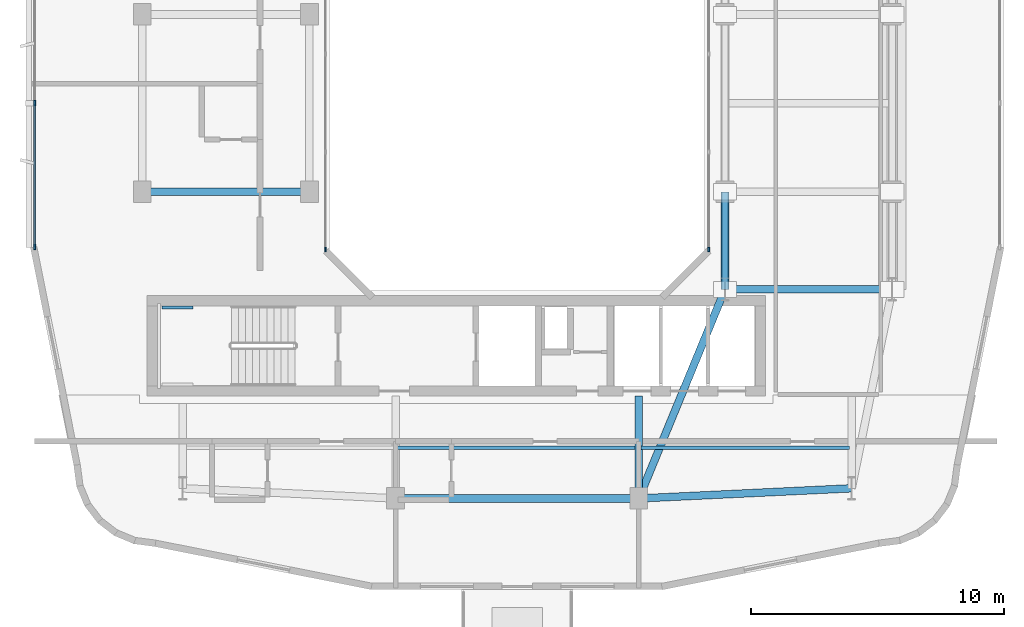
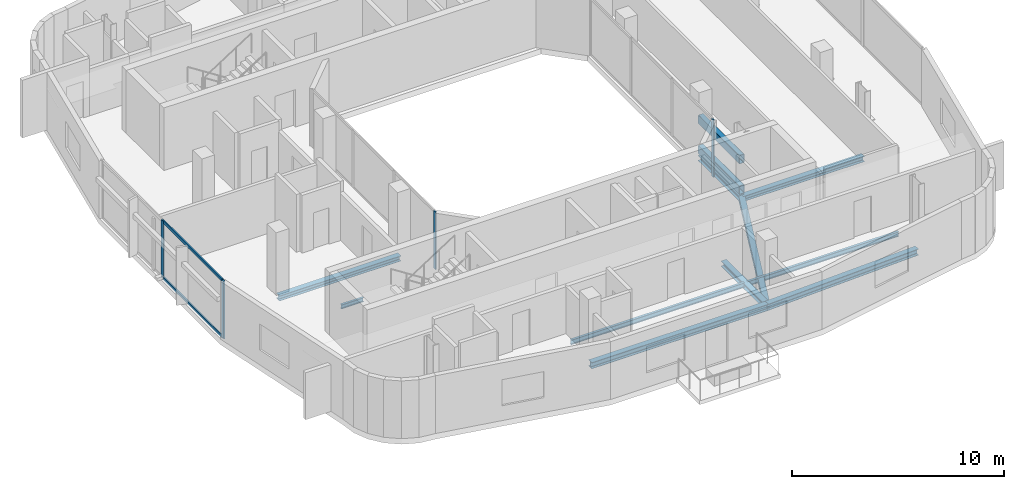
# One storey, part 2 of 13: 10 beams, 8 members, 3 elements without a shape of their own.
"""IFC4 building model written with IfcOpenShell, lengths in metres."""

from ifc_helpers import new_model, si_unit, derived_unit, direction, frame, origin, origin_2d, place, context, subcontext, project, spatial, rectangle, hollow_rectangle, i_section, extrude, material, layer, layer_set, material_profile, profile_set, type_object, element, aggregate, save


model = new_model("IFC4")

# Units and contexts
model_context = context("Model", 3, precision=1e-05, world=origin(), true_north=direction((0.0, 1.0)))
body_context = subcontext(model_context, "Body", "Model", "MODEL_VIEW")
ifc_project = project(units=[si_unit("LENGTHUNIT", "METRE"), si_unit("AREAUNIT", "SQUARE_METRE"), si_unit("VOLUMEUNIT", "CUBIC_METRE"), si_unit("PLANEANGLEUNIT", "RADIAN"), si_unit("MASSUNIT", "GRAM", prefix="KILO"), derived_unit("THERMALTRANSMITTANCEUNIT", [(si_unit("POWERUNIT", "WATT"), 1), (si_unit("LENGTHUNIT", "METRE"), -2), (si_unit("THERMODYNAMICTEMPERATUREUNIT", "KELVIN"), -1)])], contexts=[model_context])

# Site, building, storey
site_placement = place(None, origin())
site = spatial("IfcSite", under=ifc_project, at=site_placement, CompositionType="ELEMENT")
building_placement = place(site_placement, origin())
building = spatial("IfcBuilding", under=site, at=building_placement, Name="Kivonza Crest Hotel", CompositionType="ELEMENT")
storey_placement = place(building_placement, frame((0.0, 0.0, 199.10009765625)))
storey = spatial("IfcBuildingStorey", under=building, at=storey_placement, Name="L54", CompositionType="ELEMENT", Elevation=199.10009765625)

# Beams
ifc_material_1 = material(Name="Steel S355", Category="steel")
ifc_material_profile_1 = material_profile(ifc_material_1, i_section(OverallWidth=0.300048828125, OverallDepth=0.300048828125, WebThickness=0.010986328125, FlangeThickness=0.01904296875, FilletRadius=0.027099609375, at=origin_2d()), Name="HEB 300")
ifc_profile_set_1 = profile_set([ifc_material_profile_1], Name="Steel S355")
beam_type_1 = type_object("IfcBeamType", Name="BM-HEB300", PredefinedType="BEAM", material=ifc_profile_set_1)
beam_1_placement = place(storey_placement, frame((6.199951171875, 21.5, -0.47021484375), z_axis=(1.0, 0.0, 0.0), x_axis=(0.0, 1.0, 0.0)))
element("IfcBeam", 1, at=beam_1_placement, inside=storey, type_object=beam_type_1, Name="Tower T1 L54 primary girder W1-WL1", PredefinedType="BEAM", context=body_context, shape_type="SweptSolid", body=[
    extrude(i_section(OverallWidth=0.300048828125, OverallDepth=0.300048828125, WebThickness=0.010986328125, FlangeThickness=0.01904296875, FilletRadius=0.027099609375, at=origin_2d()), origin(), (0.0, 0.0, 1.0), 6.60009765625),
])
beam_2_placement = place(storey_placement, frame((25.800048828125, 9.39990234375, -0.47021484375), z_axis=(0.381022260404, 0.924565864109, 0.0), x_axis=(-0.924565864109, 0.381022260404, 0.0)))
element("IfcBeam", 2, at=beam_2_placement, inside=storey, type_object=beam_type_1, Name="Tower T1 L54 primary girder S1-TSE", PredefinedType="BEAM", context=body_context, shape_type="SweptSolid", body=[
    extrude(i_section(OverallWidth=0.300048828125, OverallDepth=0.300048828125, WebThickness=0.010986328125, FlangeThickness=0.01904296875, FilletRadius=0.027099609375, at=origin_2d()), origin(), (0.0, 0.0, 1.0), 8.923095703125),
])
beam_3_placement = place(storey_placement, frame((29.199951171875, 17.64990234375, -0.47021484375), z_axis=(1.0, 0.0, 0.0), x_axis=(0.0, 1.0, 0.0)))
element("IfcBeam", 3, at=beam_3_placement, inside=storey, type_object=beam_type_1, Name="Tower T1 L54 primary girder TSE-PSE", PredefinedType="BEAM", context=body_context, shape_type="SweptSolid", body=[
    extrude(i_section(OverallWidth=0.300048828125, OverallDepth=0.300048828125, WebThickness=0.010986328125, FlangeThickness=0.01904296875, FilletRadius=0.027099609375, at=origin_2d()), origin(), (0.0, 0.0, 1.0), 6.60009765625),
])
beam_4_placement = place(storey_placement, frame((29.199951171875, 17.64990234375, -0.47021484375), z_axis=(0.0, 1.0, 0.0), x_axis=(-1.0, 0.0, 0.0)))
element("IfcBeam", 4, at=beam_4_placement, inside=storey, type_object=beam_type_1, Name="Tower T1 L54 primary girder TSE-WR1", PredefinedType="BEAM", context=body_context, shape_type="SweptSolid", body=[
    extrude(i_section(OverallWidth=0.300048828125, OverallDepth=0.300048828125, WebThickness=0.010986328125, FlangeThickness=0.01904296875, FilletRadius=0.027099609375, at=origin_2d()), origin(), (0.0, 0.0, 1.0), 3.85009765625),
])
beam_5_placement = place(storey_placement, frame((25.800048828125, 9.39990234375, -0.47021484375), z_axis=(0.0, 1.0, 0.0), x_axis=(-1.0, 0.0, 0.0)))
element("IfcBeam", 5, at=beam_5_placement, inside=storey, type_object=beam_type_1, Name="Tower T1 L54 radial core girder RS2", PredefinedType="BEAM", context=body_context, shape_type="SweptSolid", body=[
    extrude(i_section(OverallWidth=0.300048828125, OverallDepth=0.300048828125, WebThickness=0.010986328125, FlangeThickness=0.01904296875, FilletRadius=0.027099609375, at=origin_2d()), origin(), (0.0, 0.0, 1.0), 4.050048828125),
])
ifc_material_profile_2 = material_profile(ifc_material_1, i_section(OverallWidth=0.300048828125, OverallDepth=0.360107421875, WebThickness=0.012451171875, FlangeThickness=0.0224609375, FilletRadius=0.027099609375, at=origin_2d()), Name="HEB 360")
ifc_profile_set_2 = profile_set([ifc_material_profile_2], Name="Steel S355")
beam_type_2 = type_object("IfcBeamType", Name="BM-HEB360", PredefinedType="SPANDREL", material=ifc_profile_set_2)
beam_6_placement = place(storey_placement, frame((16.199951171875, 9.39990234375, -0.5), z_axis=(1.0, 0.0, 0.0), x_axis=(0.0, 1.0, 0.0)))
element("IfcBeam", 6, at=beam_6_placement, inside=storey, type_object=beam_type_2, Name="Tower T1 L54 perimeter spandrel S1-S2", PredefinedType="SPANDREL", context=body_context, shape_type="SweptSolid", body=[
    extrude(i_section(OverallWidth=0.300048828125, OverallDepth=0.360107421875, WebThickness=0.012451171875, FlangeThickness=0.0224609375, FilletRadius=0.027099609375, at=origin_2d()), origin(), (0.0, 0.0, 1.0), 9.60009765625),
])
beam_7_placement = place(storey_placement, frame((25.800048828125, 9.39990234375, -0.5), z_axis=(0.998867283688, 0.047583080799, 0.0), x_axis=(-0.047583080799, 0.998867283688, 0.0)))
element("IfcBeam", 7, at=beam_7_placement, inside=storey, type_object=beam_type_2, Name="Tower T1 L54 perimeter spandrel S2-SE", PredefinedType="SPANDREL", context=body_context, shape_type="SweptSolid", body=[
    extrude(i_section(OverallWidth=0.300048828125, OverallDepth=0.360107421875, WebThickness=0.012451171875, FlangeThickness=0.0224609375, FilletRadius=0.027099609375, at=origin_2d()), origin(), (0.0, 0.0, 1.0), 8.409423828125),
])
ifc_material_profile_3 = material_profile(ifc_material_1, i_section(OverallWidth=0.135009765625, OverallDepth=0.27001953125, WebThickness=0.006591796875, FlangeThickness=0.01025390625, FilletRadius=0.014892578125, at=origin_2d()), Name="IPE 270")
ifc_profile_set_3 = profile_set([ifc_material_profile_3], Name="Steel S355")
beam_type_3 = type_object("IfcBeamType", Name="BM-IPE270", PredefinedType="JOIST", material=ifc_profile_set_3)
beam_8_placement = place(storey_placement, frame((16.280029296875, 11.39990234375, -0.455078125), z_axis=(1.0, 0.0, 0.0), x_axis=(0.0, 1.0, 0.0)))
element("IfcBeam", 8, at=beam_8_placement, inside=storey, type_object=beam_type_3, Name="Tower T1 L54 South-Mid floor joist", PredefinedType="JOIST", context=body_context, shape_type="SweptSolid", body=[
    extrude(i_section(OverallWidth=0.135009765625, OverallDepth=0.27001953125, WebThickness=0.006591796875, FlangeThickness=0.01025390625, FilletRadius=0.014892578125, at=origin_2d()), origin(), (0.0, 0.0, 1.0), 9.43994140625),
])
beam_9_placement = place(storey_placement, frame((25.8798828125, 11.39990234375, -0.455078125), z_axis=(1.0, 0.0, 0.0), x_axis=(0.0, 1.0, 0.0)))
element("IfcBeam", 9, at=beam_9_placement, inside=storey, type_object=beam_type_3, Name="Tower T1 L54 South-East floor joist", PredefinedType="JOIST", context=body_context, shape_type="SweptSolid", body=[
    extrude(i_section(OverallWidth=0.135009765625, OverallDepth=0.27001953125, WebThickness=0.006591796875, FlangeThickness=0.01025390625, FilletRadius=0.014892578125, at=origin_2d()), origin(), (0.0, 0.0, 1.0), 8.240234375),
])
ifc_material_profile_4 = material_profile(ifc_material_1, i_section(OverallWidth=0.1201171875, OverallDepth=0.239990234375, WebThickness=0.006103515625, FlangeThickness=0.009765625, FilletRadius=0.014892578125, at=origin_2d()), Name="IPE 240")
ifc_profile_set_4 = profile_set([ifc_material_profile_4], Name="Steel S355")
beam_type_4 = type_object("IfcBeamType", Name="BM-LLDG-240", PredefinedType="BEAM", material=ifc_profile_set_4)
beam_10_placement = place(storey_placement, frame((6.989990234375, 16.93994140625, 1.47998046875), z_axis=(1.0, 0.0, 0.0), x_axis=(0.0, 1.0, 0.0)))
element("IfcBeam", 10, at=beam_10_placement, inside=storey, type_object=beam_type_4, Name="Stair ST-T1-S L54 North landing corbel", PredefinedType="BEAM", context=body_context, shape_type="SweptSolid", body=[
    extrude(i_section(OverallWidth=0.1201171875, OverallDepth=0.239990234375, WebThickness=0.006103515625, FlangeThickness=0.009765625, FilletRadius=0.014892578125, at=origin_2d()), origin(), (0.0, 0.0, 1.0), 1.2099609375),
])

# Curtain wall, member
ifc_material_2 = material(Name="Anodised bronze aluminium and low-E double glazing", Category="aluminium")
ifc_layer_1 = layer(ifc_material_2, 0.159912109375)
ifc_layer_set_1 = layer_set([ifc_layer_1], Name="Anodised bronze aluminium and low-E double glazing")
curtain_wall_type_1 = type_object("IfcCurtainWallType", Name="CW-SYS-5", PredefinedType="NOTDEFINED", material=ifc_layer_set_1)
curtain_wall_1_placement = place(storey_placement, origin())
curtain_wall_1 = element("IfcCurtainWall", 11, at=curtain_wall_1_placement, inside=storey, type_object=curtain_wall_type_1, Name="L54 unitised curtain wall CW-WELL-T1-L54-3", PredefinedType="NOTDEFINED")
ifc_material_3 = material(Name="Anodised bronze aluminium", Category="aluminium")
ifc_material_profile_5 = material_profile(ifc_material_3, rectangle(XDim=0.06494140625, YDim=0.179931640625, at=origin_2d()), Name="CW-M 65x180")
ifc_profile_set_5 = profile_set([ifc_material_profile_5], Name="Anodised bronze aluminium")
member_type_1 = type_object("IfcMemberType", Name="CW-MUL-65x180", PredefinedType="MULLION", material=ifc_profile_set_5)
member_1_placement = place(storey_placement, frame((28.56005859375, 19.232421875, 0.0), z_axis=(0.0, 0.0, 1.0), x_axis=(-1.0, 0.0, 0.0)))
member_1 = element("IfcMember", 12, at=member_1_placement, type_object=member_type_1, Name="CW-5 mullion 1", PredefinedType="MULLION", context=body_context, shape_type="SweptSolid", body=[
    extrude(rectangle(XDim=0.06494140625, YDim=0.179931640625, at=origin_2d()), origin(), (0.0, 0.0, 1.0), 3.31982421875),
])
aggregate(curtain_wall_1, [member_1])

curtain_wall_2_placement = place(storey_placement, origin())
curtain_wall_2 = element("IfcCurtainWall", 13, at=curtain_wall_2_placement, inside=storey, type_object=curtain_wall_type_1, Name="L54 unitised curtain wall CW-WELL-T1-L54-7", PredefinedType="NOTDEFINED")
member_2_placement = place(storey_placement, frame((13.43994140625, 19.232421875, 0.0), z_axis=(0.0, 0.0, 1.0), x_axis=(1.0, 0.0, 0.0)))
member_2 = element("IfcMember", 14, at=member_2_placement, type_object=member_type_1, Name="CW-5 mullion 4", PredefinedType="MULLION", context=body_context, shape_type="SweptSolid", body=[
    extrude(rectangle(XDim=0.06494140625, YDim=0.179931640625, at=origin_2d()), origin(), (0.0, 0.0, 1.0), 3.31982421875),
])
aggregate(curtain_wall_2, [member_2])

# Curtain wall, members
ifc_layer_2 = layer(ifc_material_2, 0.179931640625)
ifc_layer_set_2 = layer_set([ifc_layer_2], Name="Anodised bronze aluminium and low-E double glazing")
curtain_wall_type_2 = type_object("IfcCurtainWallType", Name="CW-SYS-3", PredefinedType="NOTDEFINED", material=ifc_layer_set_2)
curtain_wall_3_placement = place(storey_placement, origin())
curtain_wall_3 = element("IfcCurtainWall", 15, at=curtain_wall_3_placement, inside=storey, type_object=curtain_wall_type_2, Name="L54 unitised curtain wall CW-T1-L54-35", PredefinedType="NOTDEFINED")
ifc_material_profile_6 = material_profile(ifc_material_3, rectangle(XDim=0.074951171875, YDim=0.219970703125, at=origin_2d()), Name="CW-M 75x220")
ifc_profile_set_6 = profile_set([ifc_material_profile_6], Name="Anodised bronze aluminium")
member_type_2 = type_object("IfcMemberType", Name="CW-MUL-75x220", PredefinedType="MULLION", material=ifc_profile_set_6)
member_3_placement = place(storey_placement, frame((1.9599609375, 25.0, 0.0), z_axis=(0.0, 0.0, 1.0), x_axis=(1.0, 0.0, 0.0)))
member_3 = element("IfcMember", 16, at=member_3_placement, type_object=member_type_2, Name="CW-3 mullion 2", PredefinedType="MULLION", context=body_context, shape_type="SweptSolid", body=[
    extrude(rectangle(XDim=0.074951171875, YDim=0.219970703125, at=origin_2d()), origin(), (0.0, 0.0, 1.0), 3.31982421875),
])
member_4_placement = place(storey_placement, frame((1.9599609375, 19.3173828125, 0.0), z_axis=(0.0, 0.0, 1.0), x_axis=(1.0, 0.0, 0.0)))
member_4 = element("IfcMember", 17, at=member_4_placement, type_object=member_type_2, Name="CW-3 mullion 3", PredefinedType="MULLION", context=body_context, shape_type="SweptSolid", body=[
    extrude(rectangle(XDim=0.074951171875, YDim=0.219970703125, at=origin_2d()), origin(), (0.0, 0.0, 1.0), 3.31982421875),
])
ifc_material_profile_7 = material_profile(ifc_material_3, rectangle(XDim=0.074951171875, YDim=0.159912109375, at=origin_2d()), Name="CW-T 75x160")
ifc_profile_set_7 = profile_set([ifc_material_profile_7], Name="Anodised bronze aluminium")
member_type_3 = type_object("IfcMemberType", Name="CW-TRN-75x160", PredefinedType="USERDEFINED", material=ifc_profile_set_7)
member_5_placement = place(storey_placement, frame((1.9599609375, 24.96240234375, 0.037353515625), z_axis=(0.0, -1.0, 0.0), x_axis=(1.0, 0.0, 0.0)))
member_5 = element("IfcMember", 18, at=member_5_placement, type_object=member_type_3, Name="CW-3 transom 2.1", ObjectType="TRANSOM", PredefinedType="USERDEFINED", context=body_context, shape_type="SweptSolid", body=[
    extrude(rectangle(XDim=0.074951171875, YDim=0.159912109375, at=origin_2d()), origin(), (0.0, 0.0, 1.0), 5.607421875),
])
member_6_placement = place(storey_placement, frame((1.9599609375, 24.96240234375, 3.282470703125), z_axis=(0.0, -1.0, 0.0), x_axis=(1.0, 0.0, 0.0)))
member_6 = element("IfcMember", 19, at=member_6_placement, type_object=member_type_3, Name="CW-3 transom 2.2", ObjectType="TRANSOM", PredefinedType="USERDEFINED", context=body_context, shape_type="SweptSolid", body=[
    extrude(rectangle(XDim=0.074951171875, YDim=0.159912109375, at=origin_2d()), origin(), (0.0, 0.0, 1.0), 5.607421875),
])
aggregate(curtain_wall_3, [member_3, member_4, member_5, member_6])

# Members
ifc_material_profile_8 = material_profile(ifc_material_1, hollow_rectangle(XDim=0.300048828125, YDim=0.5, WallThickness=0.02001953125, InnerFilletRadius=0.030029296875, OuterFilletRadius=0.050048828125, at=origin_2d()), Name="RHS 500x300x20")
ifc_profile_set_8 = profile_set([ifc_material_profile_8], Name="Steel S355")
member_type_4 = type_object("IfcMemberType", Name="MB-CHORD-RHS500", PredefinedType="CHORD", material=ifc_profile_set_8)
for number, where, z_axis, x_axis, name in (
    (20, (29.199951171875, 17.64990234375, 0.0), (0.0, 1.0, 0.0), (-1.0, 0.0, 0.0), "Transfer truss L54 portal header WELL bottom chord 1"),
    (21, (29.199951171875, 17.64990234375, 1.75), (0.0, 1.0, 0.0), (-1.0, 0.0, 0.0), "Transfer truss L54 portal header WELL top chord 1"),
):
    element("IfcMember", number, at=place(storey_placement, frame(where, z_axis=z_axis, x_axis=x_axis)), inside=storey, type_object=member_type_4, Name=name, PredefinedType="CHORD", context=body_context, shape_type="SweptSolid", body=[
        extrude(hollow_rectangle(XDim=0.300048828125, YDim=0.5, WallThickness=0.02001953125, InnerFilletRadius=0.030029296875, OuterFilletRadius=0.050048828125, at=origin_2d()), origin(), (0.0, 0.0, 1.0), 3.85009765625),
    ])

save(model, "model.ifc")
